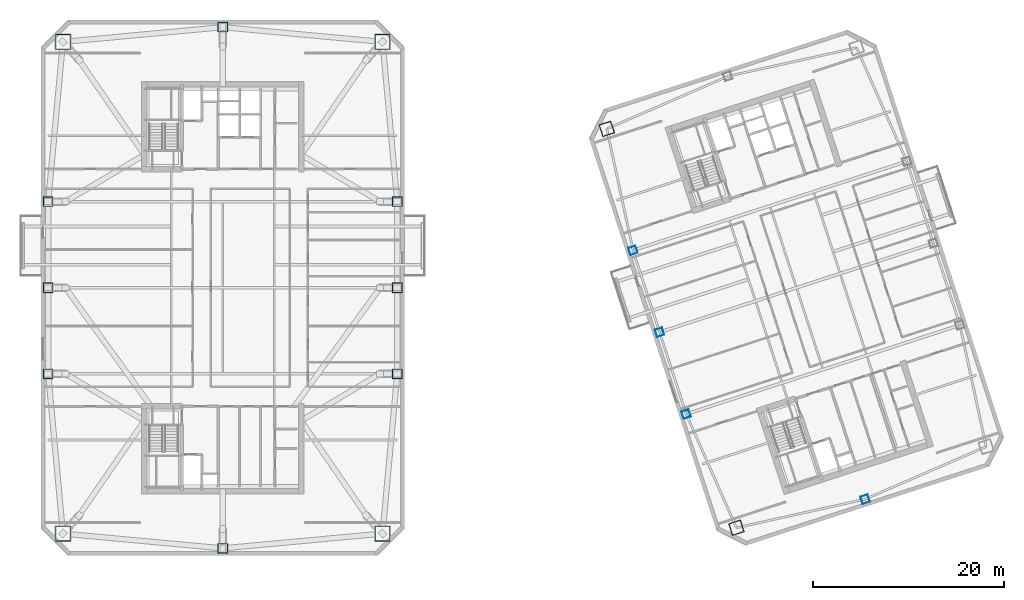
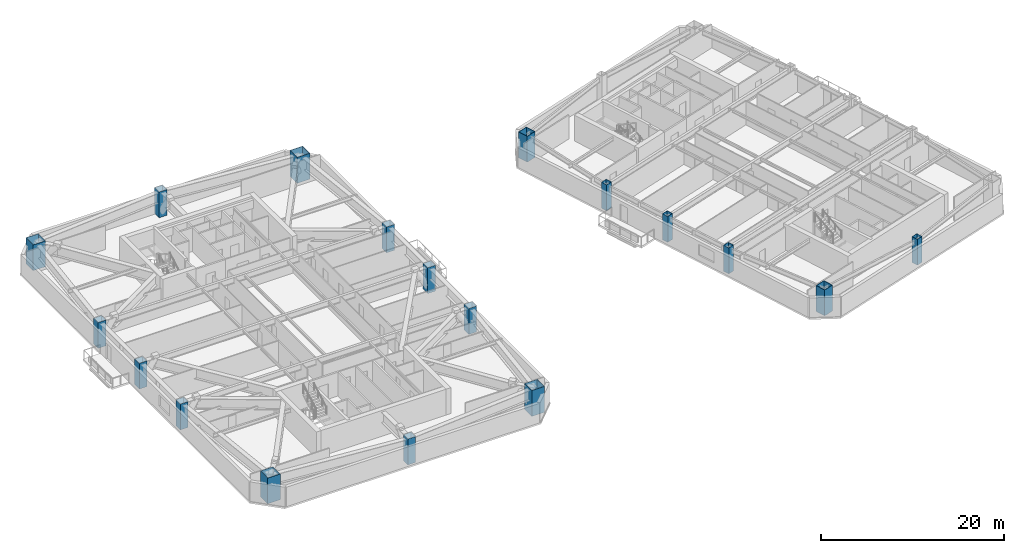
# One storey, part 1 of 17: 18 columns.
"""IFC4 building model written with IfcOpenShell, lengths in metres."""

from ifc_helpers import new_model, si_unit, direction, frame, origin, origin_2d, place, context, subcontext, project, spatial, hollow_rectangle, extrude, material, material_profile, profile_set, type_object, element, save


model = new_model("IFC4")

# Units and contexts
model_context = context("Model", 3, precision=1e-05, world=origin(), true_north=direction((0.0, 1.0)))
body_context = subcontext(model_context, "Body", "Model", "MODEL_VIEW")
ifc_project = project(units=[si_unit("LENGTHUNIT", "METRE"), si_unit("AREAUNIT", "SQUARE_METRE"), si_unit("VOLUMEUNIT", "CUBIC_METRE"), si_unit("PLANEANGLEUNIT", "RADIAN"), si_unit("MASSUNIT", "GRAM", prefix="KILO")], contexts=[model_context])

# Site, building, storey
site_placement = place(None, origin())
site = spatial("IfcSite", under=ifc_project, at=site_placement, CompositionType="ELEMENT")
building_placement = place(site_placement, origin())
building = spatial("IfcBuilding", under=site, at=building_placement, Name="Qiaolan Cultural Towers", CompositionType="ELEMENT")
storey_placement = place(building_placement, frame((0.0, 0.0, 156.39990234375)))
storey = spatial("IfcBuildingStorey", under=building, at=storey_placement, Name="L41", CompositionType="ELEMENT", Elevation=156.39990234375)

# Columns
ifc_material_1 = material(Name="Steel Q355B", Category="steel")
ifc_material_profile_1 = material_profile(ifc_material_1, hollow_rectangle(XDim=1.0, YDim=1.0, WallThickness=0.035888671875, at=origin_2d()), Name="BOX1000x1000x36")
ifc_profile_set_1 = profile_set([ifc_material_profile_1], Name="Steel Q355B")
column_type_1 = type_object("IfcColumnType", Name="COL-BOX1000x1000x36", PredefinedType="COLUMN", material=ifc_profile_set_1)
for number, where, z_axis, x_axis, name in (
    (1, (11.75, 25.0, 0.0), (0.0, 0.0, 1.0), (1.0, 0.0, 0.0), "L41 T1 Perimeter Column PC-W1"),
    (2, (11.75, 34.0, 0.0), (0.0, 0.0, 1.0), (1.0, 0.0, 0.0), "L41 T1 Perimeter Column PC-W2"),
    (3, (11.75, 43.0, 0.0), (0.0, 0.0, 1.0), (1.0, 0.0, 0.0), "L41 T1 Perimeter Column PC-W3"),
    (4, (48.25, 25.0, 0.0), (0.0, 0.0, 1.0), (1.0, 0.0, 0.0), "L41 T1 Perimeter Column PC-E1"),
    (5, (48.25, 34.0, 0.0), (0.0, 0.0, 1.0), (1.0, 0.0, 0.0), "L41 T1 Perimeter Column PC-E2"),
    (6, (48.25, 43.0, 0.0), (0.0, 0.0, 1.0), (1.0, 0.0, 0.0), "L41 T1 Perimeter Column PC-E3"),
    (7, (30.0, 6.75, 0.0), (0.0, 0.0, 1.0), (1.0, 0.0, 0.0), "L41 T1 Perimeter Column PC-S0"),
    (8, (30.0, 61.25, 0.0), (0.0, 0.0, 1.0), (1.0, 0.0, 0.0), "L41 T1 Perimeter Column PC-N0"),
):
    element("IfcColumn", number, at=place(storey_placement, frame(where, z_axis=z_axis, x_axis=x_axis)), inside=storey, type_object=column_type_1, Name=name, PredefinedType="COLUMN", context=body_context, shape_type="SweptSolid", body=[
        extrude(hollow_rectangle(XDim=1.0, YDim=1.0, WallThickness=0.035888671875, at=origin_2d()), origin(), (0.0, 0.0, 1.0), 3.451171875),
    ])
ifc_material_2 = material(Name="Steel Q390GJB", Category="steel")
ifc_material_profile_2 = material_profile(ifc_material_2, hollow_rectangle(XDim=1.300048828125, YDim=1.300048828125, WallThickness=0.044921875, at=origin_2d()), Name="BOX1300x1300x45")
ifc_profile_set_2 = profile_set([ifc_material_profile_2], Name="Steel Q390GJB")
column_type_2 = type_object("IfcColumnType", Name="COL-BOX1300x1300x45", PredefinedType="COLUMN", material=ifc_profile_set_2)
for number, where, z_axis, x_axis, name in (
    (9, (83.71875, 8.900634765625, 0.0), (0.0, 0.0, 1.0), (0.951056516295, 0.309016994375, 0.0), "L41 T2 Perimeter Column MC-SW"),
    (10, (70.165283203125, 50.61376953125, 0.0), (0.0, 0.0, 1.0), (0.951056516295, 0.309016994375, 0.0), "L41 T2 Perimeter Column MC-NW"),
):
    element("IfcColumn", number, at=place(storey_placement, frame(where, z_axis=z_axis, x_axis=x_axis)), inside=storey, type_object=column_type_2, Name=name, PredefinedType="COLUMN", context=body_context, shape_type="SweptSolid", body=[
        extrude(hollow_rectangle(XDim=1.300048828125, YDim=1.300048828125, WallThickness=0.044921875, at=origin_2d()), origin(), (0.0, 0.0, 1.0), 3.451171875),
    ])
ifc_material_3 = material(Name="Steel Q420GJB", Category="steel")
ifc_material_profile_3 = material_profile(ifc_material_3, hollow_rectangle(XDim=1.60009765625, YDim=1.60009765625, WallThickness=0.054931640625, at=origin_2d()), Name="BOX1600x1600x55")
ifc_profile_set_3 = profile_set([ifc_material_profile_3], Name="Steel Q420GJB")
column_type_3 = type_object("IfcColumnType", Name="COL-BOX1600x1600x55", PredefinedType="COLUMN", material=ifc_profile_set_3)
for number, where, z_axis, x_axis, name in (
    (11, (13.2900390625, 8.2900390625, 0.0), (0.0, 0.0, 1.0), (1.0, 0.0, 0.0), "L41 T1 Perimeter Column MC-SW"),
    (12, (46.7099609375, 8.2900390625, 0.0), (0.0, 0.0, 1.0), (1.0, 0.0, 0.0), "L41 T1 Perimeter Column MC-SE"),
    (13, (46.7099609375, 59.7099609375, 0.0), (0.0, 0.0, 1.0), (1.0, 0.0, 0.0), "L41 T1 Perimeter Column MC-NE"),
    (14, (13.2900390625, 59.7099609375, 0.0), (0.0, 0.0, 1.0), (1.0, 0.0, 0.0), "L41 T1 Perimeter Column MC-NW"),
):
    element("IfcColumn", number, at=place(storey_placement, frame(where, z_axis=z_axis, x_axis=x_axis)), inside=storey, type_object=column_type_3, Name=name, PredefinedType="COLUMN", context=body_context, shape_type="SweptSolid", body=[
        extrude(hollow_rectangle(XDim=1.60009765625, YDim=1.60009765625, WallThickness=0.054931640625, at=origin_2d()), origin(), (0.0, 0.0, 1.0), 3.451171875),
    ])
ifc_material_4 = material(Name="Steel Q355B", Category="steel")
ifc_material_profile_4 = material_profile(ifc_material_4, hollow_rectangle(XDim=0.800048828125, YDim=0.800048828125, WallThickness=0.028076171875, at=origin_2d()), Name="BOX800x800x28")
ifc_profile_set_4 = profile_set([ifc_material_profile_4], Name="Steel Q355B")
column_type_4 = type_object("IfcColumnType", Name="COL-BOX800x800x28", PredefinedType="COLUMN", material=ifc_profile_set_4)
for number, where, z_axis, x_axis, name in (
    (15, (78.4677734375, 20.789794921875, 0.0), (0.0, 0.0, 1.0), (0.951056516295, 0.309016994375, 0.0), "L41 T2 Perimeter Column PC-W1"),
    (16, (75.6865234375, 29.349365234375, 0.0), (0.0, 0.0, 1.0), (0.951056516295, 0.309016994375, 0.0), "L41 T2 Perimeter Column PC-W2"),
    (17, (72.905517578125, 37.90869140625, 0.0), (0.0, 0.0, 1.0), (0.951056516295, 0.309016994375, 0.0), "L41 T2 Perimeter Column PC-W3"),
    (18, (97.1845703125, 11.887939453125, 0.0), (0.0, 0.0, 1.0), (0.951056516295, 0.309016994375, 0.0), "L41 T2 Perimeter Column PC-S0"),
):
    element("IfcColumn", number, at=place(storey_placement, frame(where, z_axis=z_axis, x_axis=x_axis)), inside=storey, type_object=column_type_4, Name=name, PredefinedType="COLUMN", context=body_context, shape_type="SweptSolid", body=[
        extrude(hollow_rectangle(XDim=0.800048828125, YDim=0.800048828125, WallThickness=0.028076171875, at=origin_2d()), origin(), (0.0, 0.0, 1.0), 3.451171875),
    ])

save(model, "model.ifc")
